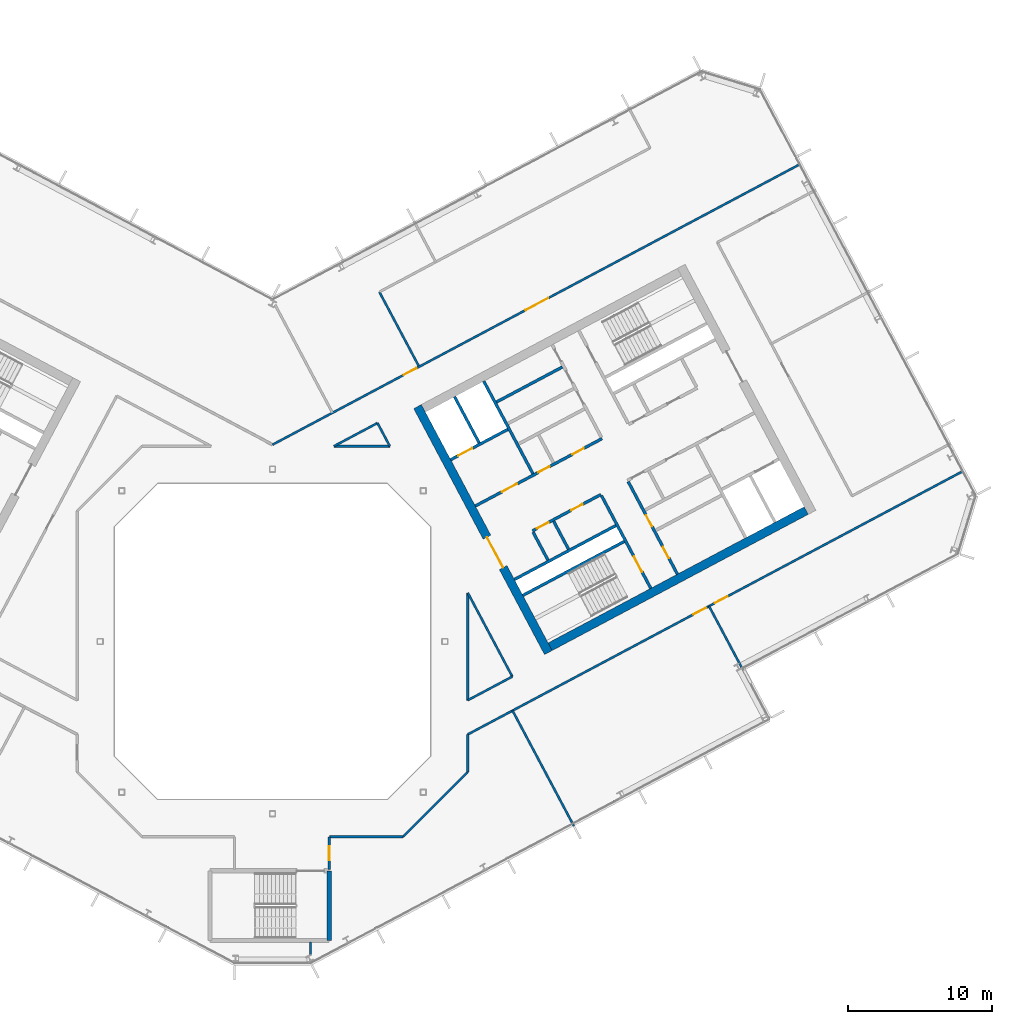
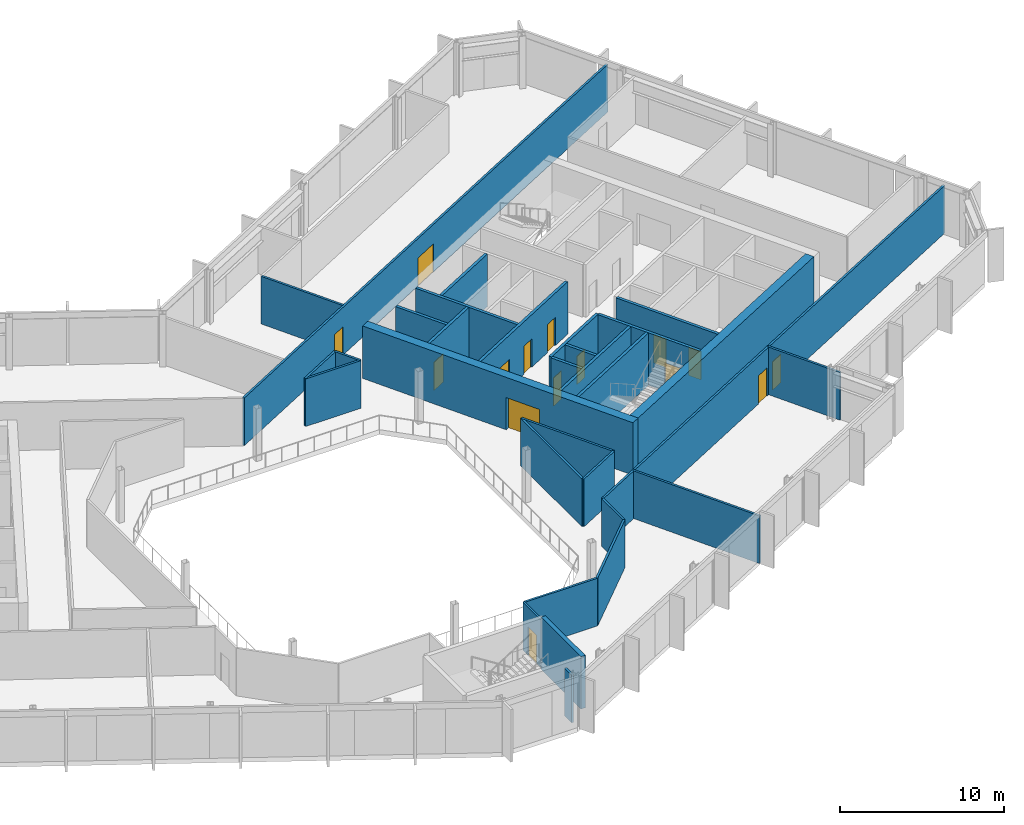
# One storey, part 15 of 26: 31 walls, 15 doors, 15 openings.
"""IFC4 building model written with IfcOpenShell, lengths in metres."""

from ifc_helpers import new_model, si_unit, direction, frame, frame_2d, origin, place, context, subcontext, project, spatial, rectangle, extrude, material, layer, layer_set, type_object, element, fill, save


model = new_model("IFC4")

# Units and contexts
model_context = context("Model", 3, precision=1e-05, world=origin(), true_north=direction((0.0, 1.0)))
body_context = subcontext(model_context, "Body", "Model", "MODEL_VIEW")
ifc_project = project(units=[si_unit("LENGTHUNIT", "METRE"), si_unit("AREAUNIT", "SQUARE_METRE"), si_unit("VOLUMEUNIT", "CUBIC_METRE"), si_unit("PLANEANGLEUNIT", "RADIAN"), si_unit("MASSUNIT", "GRAM", prefix="KILO")], contexts=[model_context])

# Site, building, storey
site_placement = place(None, origin())
site = spatial("IfcSite", under=ifc_project, at=site_placement, CompositionType="ELEMENT")
building_placement = place(site_placement, origin())
building = spatial("IfcBuilding", under=site, at=building_placement, Name="Cormorant Relay Tower", CompositionType="ELEMENT")
storey_placement = place(building_placement, frame((0.0, 0.0, 213.0)))
storey = spatial("IfcBuildingStorey", under=building, at=storey_placement, Name="L46", CompositionType="ELEMENT", Elevation=213.0)

# Walls
ifc_material_1 = material(Name="Concrete 40 MPa", Category="concrete")
ifc_layer_1 = layer(ifc_material_1, 0.199951171875)
ifc_layer_set_1 = layer_set([ifc_layer_1], Name="Core internal wall 200")
wall_type_1 = type_object("IfcWallType", Name="Core internal wall 200", PredefinedType="SOLIDWALL", material=ifc_layer_set_1)
wall_1_placement = place(storey_placement, frame((20.614013671875, 6.430419921875, 0.0), z_axis=(0.0, 0.0, 1.0), x_axis=(-0.4694473164, 0.882960484464, 0.0)))
element("IfcWall", 1, at=wall_1_placement, inside=storey, type_object=wall_type_1, Name="L46 core B shaft and room wall", PredefinedType="SOLIDWALL", context=body_context, shape_type="SweptSolid", body=[
    extrude(rectangle(XDim=2.199951171875, YDim=0.199951171875, at=frame_2d((1.10009765625, 0.0))), origin(), (0.0, 0.0, 1.0), 3.89990234375),
])
wall_2_placement = place(storey_placement, frame((15.59765625, 16.67431640625, 0.0), z_axis=(0.0, 0.0, 1.0), x_axis=(0.882934506056, 0.469496174655, 0.0)))
element("IfcWall", 2, at=wall_2_placement, inside=storey, type_object=wall_type_1, Name="L46 core B shaft and room wall", PredefinedType="SOLIDWALL", context=body_context, shape_type="SweptSolid", body=[
    extrude(rectangle(XDim=5.199951171875, YDim=0.199951171875, at=frame_2d((2.60009765625, 0.0))), origin(), (0.0, 0.0, 1.0), 3.89990234375),
])
ifc_material_2 = material(Name="Concrete 50 MPa", Category="concrete")
ifc_layer_2 = layer(ifc_material_2, 0.199951171875)
ifc_layer_set_2 = layer_set([ifc_layer_2], Name="Core shaft wall 200")
wall_type_2 = type_object("IfcWallType", Name="Core shaft wall 200", PredefinedType="SHEAR", material=ifc_layer_set_2)
wall_3_placement = place(storey_placement, frame((14.39404296875, 13.825927734375, 0.0), z_axis=(0.0, 0.0, 1.0), x_axis=(-0.469494272526, 0.882935517501, 0.0)))
element("IfcWall", 3, at=wall_3_placement, inside=storey, type_object=wall_type_2, Name="L46 core B shaft wall", PredefinedType="SHEAR", context=body_context, shape_type="SweptSolid", body=[
    extrude(rectangle(XDim=3.64990234375, YDim=0.199951171875, at=frame_2d((1.824951171875, 0.0))), origin(), (0.0, 0.0, 1.0), 3.89990234375),
])
wall_4_placement = place(storey_placement, frame((19.18359375, 5.669921875, 0.0), z_axis=(0.0, 0.0, 1.0), x_axis=(-0.4694473164, 0.882960484464, 0.0)))
element("IfcWall", 4, at=wall_4_placement, inside=storey, type_object=wall_type_2, Name="L46 core B shaft wall", PredefinedType="SHEAR", context=body_context, shape_type="SweptSolid", body=[
    extrude(rectangle(XDim=2.199951171875, YDim=0.199951171875, at=frame_2d((1.10009765625, 0.0))), origin(), (0.0, 0.0, 1.0), 3.89990234375),
])
wall_5_placement = place(storey_placement, frame((18.138427734375, 11.682861328125, 0.0), z_axis=(0.0, 0.0, 1.0), x_axis=(-0.469480409012, 0.88294288918, 0.0)))
element("IfcWall", 5, at=wall_5_placement, inside=storey, type_object=wall_type_2, Name="L46 core B shaft wall", PredefinedType="SHEAR", context=body_context, shape_type="SweptSolid", body=[
    extrude(rectangle(XDim=7.300048828125, YDim=0.199951171875, at=frame_2d((3.64990234375, 0.0))), origin(), (0.0, 0.0, 1.0), 3.89990234375),
])

# Wall, opening, door
wall_6_placement = place(storey_placement, frame((26.345947265625, 3.701904296875, 0.0), z_axis=(0.0, 0.0, 1.0), x_axis=(-0.469480409012, 0.88294288918, 0.0)))
wall_6 = element("IfcWall", 6, at=wall_6_placement, inside=storey, type_object=wall_type_2, Name="L46 core B shaft wall", PredefinedType="SHEAR", context=body_context, shape_type="SweptSolid", body=[
    extrude(rectangle(XDim=7.300048828125, YDim=0.199951171875, at=frame_2d((3.64990234375, 0.0))), origin(), (0.0, 0.0, 1.0), 3.89990234375),
])
opening_1_placement = place(wall_6_placement, frame((1.300048828125, 0.0, 0.0)))
opening_1 = element("IfcOpeningElement", 7, at=opening_1_placement, cuts=wall_6, Name="Opening CDB-040", PredefinedType="OPENING", context=body_context, shape_type="SweptSolid", body=[
    extrude(rectangle(XDim=1.199951171875, YDim=2.10009765625, at=frame_2d((0.60009765625, 1.050048828125))), frame((0.0, 0.10986328125, 0.0), z_axis=(0.0, -1.0, 0.0), x_axis=(1.0, 0.0, 0.0)), (0.0, 0.0, 1.0), 0.219970703125),
])
ifc_material_3 = material(Name="Steel fire door", Category="steel")
door_type_1 = type_object("IfcDoorType", Name="Core stair door 1200x2100", OperationType="SINGLE_SWING_LEFT", PredefinedType="DOOR", material=ifc_material_3)
door_1_placement = place(opening_1_placement, origin())
door_1 = element("IfcDoor", 8, at=door_1_placement, inside=storey, type_object=door_type_1, Name="Core stair door 1200x2100", OperationType="SINGLE_SWING_RIGHT", OverallHeight=2.10009765625, OverallWidth=1.199951171875, PredefinedType="DOOR", context=body_context, shape_type="SweptSolid", body=[
    extrude(rectangle(XDim=1.199951171875, YDim=2.10009765625, at=frame_2d((0.60009765625, 1.050048828125))), frame((0.0, 0.02490234375, 0.0), z_axis=(0.0, -1.0, 0.0), x_axis=(1.0, 0.0, 0.0)), (0.0, 0.0, 1.0), 0.050048828125),
])
fill(opening_1, door_1)

# Wall, openings, doors
wall_7_placement = place(storey_placement, frame((28.199951171875, 4.687744140625, 0.0), z_axis=(0.0, 0.0, 1.0), x_axis=(-0.469454336211, 0.882956752176, 0.0)))
wall_7 = element("IfcWall", 9, at=wall_7_placement, inside=storey, type_object=wall_type_2, Name="L46 core B shaft wall", PredefinedType="SHEAR", context=body_context, shape_type="SweptSolid", body=[
    extrude(rectangle(XDim=7.300048828125, YDim=0.199951171875, at=frame_2d((3.64990234375, 0.0))), origin(), (0.0, 0.0, 1.0), 3.89990234375),
])
opening_2_placement = place(wall_7_placement, frame((1.25, 0.0, 0.0)))
opening_2 = element("IfcOpeningElement", 10, at=opening_2_placement, cuts=wall_7, Name="Opening CDD-277", PredefinedType="OPENING", context=body_context, shape_type="SweptSolid", body=[
    extrude(rectangle(XDim=0.89990234375, YDim=2.10009765625, at=frame_2d((0.449951171875, 1.050048828125))), frame((0.0, 0.10986328125, 0.0), z_axis=(0.0, -1.0, 0.0), x_axis=(1.0, 0.0, 0.0)), (0.0, 0.0, 1.0), 0.219970703125),
])
opening_3_placement = place(wall_7_placement, frame((3.75, 0.0, 0.0)))
opening_3 = element("IfcOpeningElement", 11, at=opening_3_placement, cuts=wall_7, Name="Opening CDD-253", PredefinedType="OPENING", context=body_context, shape_type="SweptSolid", body=[
    extrude(rectangle(XDim=0.89990234375, YDim=2.10009765625, at=frame_2d((0.449951171875, 1.050048828125))), frame((0.0, 0.10986328125, 0.0), z_axis=(0.0, -1.0, 0.0), x_axis=(1.0, 0.0, 0.0)), (0.0, 0.0, 1.0), 0.219970703125),
])
ifc_material_4 = material(Name="Steel fire door", Category="steel")
door_type_2 = type_object("IfcDoorType", Name="Core room door 900x2100", OperationType="SINGLE_SWING_LEFT", PredefinedType="DOOR", material=ifc_material_4)
door_2_placement = place(opening_2_placement, frame((0.89990234375, 0.0, 0.0), z_axis=(0.0, 0.0, 1.0), x_axis=(-1.0, 0.0, 0.0)))
door_2 = element("IfcDoor", 12, at=door_2_placement, inside=storey, type_object=door_type_2, Name="Core room door 900x2100", OperationType="SINGLE_SWING_LEFT", OverallHeight=2.10009765625, OverallWidth=0.89990234375, PredefinedType="DOOR", context=body_context, shape_type="SweptSolid", body=[
    extrude(rectangle(XDim=0.89990234375, YDim=2.10009765625, at=frame_2d((0.449951171875, 1.050048828125))), frame((0.0, 0.02490234375, 0.0), z_axis=(0.0, -1.0, 0.0), x_axis=(1.0, 0.0, 0.0)), (0.0, 0.0, 1.0), 0.050048828125),
])
fill(opening_2, door_2)
door_3_placement = place(opening_3_placement, frame((0.89990234375, 0.0, 0.0), z_axis=(0.0, 0.0, 1.0), x_axis=(-1.0, 0.0, 0.0)))
door_3 = element("IfcDoor", 13, at=door_3_placement, inside=storey, type_object=door_type_2, Name="Core room door 900x2100", OperationType="SINGLE_SWING_LEFT", OverallHeight=2.10009765625, OverallWidth=0.89990234375, PredefinedType="DOOR", context=body_context, shape_type="SweptSolid", body=[
    extrude(rectangle(XDim=0.89990234375, YDim=2.10009765625, at=frame_2d((0.449951171875, 1.050048828125))), frame((0.0, 0.02490234375, 0.0), z_axis=(0.0, -1.0, 0.0), x_axis=(1.0, 0.0, 0.0)), (0.0, 0.0, 1.0), 0.050048828125),
])
fill(opening_3, door_3)

# Walls
for number, where, z_axis, x_axis, name in (
    (14, (17.43359375, 3.210205078125, 0.0), (0.0, 0.0, 1.0), (0.882940221191, 0.469485426614, 0.0), "L46 core B shaft wall"),
    (15, (16.8466796875, 4.31396484375, 0.0), (0.0, 0.0, 1.0), (0.882940221191, 0.469485426614, 0.0), "L46 core B shaft wall"),
):
    element("IfcWall", number, at=place(storey_placement, frame(where, z_axis=z_axis, x_axis=x_axis)), inside=storey, type_object=wall_type_2, Name=name, PredefinedType="SHEAR", context=body_context, shape_type="SweptSolid", body=[
        extrude(rectangle(XDim=8.0, YDim=0.199951171875, at=frame_2d((4.0, 0.0))), origin(), (0.0, 0.0, 1.0), 3.89990234375),
    ])

# Wall, openings, doors
wall_8_placement = place(storey_placement, frame((18.103759765625, 7.70068359375, 0.0), z_axis=(0.0, 0.0, 1.0), x_axis=(0.882952937579, 0.469461510692, 0.0)))
wall_8 = element("IfcWall", 16, at=wall_8_placement, inside=storey, type_object=wall_type_2, Name="L46 core B shaft wall", PredefinedType="SHEAR", context=body_context, shape_type="SweptSolid", body=[
    extrude(rectangle(XDim=5.400146484375, YDim=0.199951171875, at=frame_2d((2.7001953125, 0.0))), origin(), (0.0, 0.0, 1.0), 3.89990234375),
])
opening_4_placement = place(wall_8_placement, frame((0.360107421875, 0.0, 0.0)))
opening_4 = element("IfcOpeningElement", 17, at=opening_4_placement, cuts=wall_8, Name="Opening CDD-245", PredefinedType="OPENING", context=body_context, shape_type="SweptSolid", body=[
    extrude(rectangle(XDim=0.89990234375, YDim=2.10009765625, at=frame_2d((0.449951171875, 1.050048828125))), frame((0.0, 0.10986328125, 0.0), z_axis=(0.0, -1.0, 0.0), x_axis=(1.0, 0.0, 0.0)), (0.0, 0.0, 1.0), 0.219970703125),
])
opening_5_placement = place(wall_8_placement, frame((3.06005859375, 0.0, 0.0)))
opening_5 = element("IfcOpeningElement", 18, at=opening_5_placement, cuts=wall_8, Name="Opening CDD-246", PredefinedType="OPENING", context=body_context, shape_type="SweptSolid", body=[
    extrude(rectangle(XDim=0.89990234375, YDim=2.10009765625, at=frame_2d((0.449951171875, 1.050048828125))), frame((0.0, 0.10986328125, 0.0), z_axis=(0.0, -1.0, 0.0), x_axis=(1.0, 0.0, 0.0)), (0.0, 0.0, 1.0), 0.219970703125),
])
door_4_placement = place(opening_4_placement, frame((0.89990234375, 0.0, 0.0), z_axis=(0.0, 0.0, 1.0), x_axis=(-1.0, 0.0, 0.0)))
door_4 = element("IfcDoor", 19, at=door_4_placement, inside=storey, type_object=door_type_2, Name="Core room door 900x2100", OperationType="SINGLE_SWING_RIGHT", OverallHeight=2.10009765625, OverallWidth=0.89990234375, PredefinedType="DOOR", context=body_context, shape_type="SweptSolid", body=[
    extrude(rectangle(XDim=0.89990234375, YDim=2.10009765625, at=frame_2d((0.449951171875, 1.050048828125))), frame((0.0, 0.02490234375, 0.0), z_axis=(0.0, -1.0, 0.0), x_axis=(1.0, 0.0, 0.0)), (0.0, 0.0, 1.0), 0.050048828125),
])
fill(opening_4, door_4)
door_5_placement = place(opening_5_placement, frame((0.89990234375, 0.0, 0.0), z_axis=(0.0, 0.0, 1.0), x_axis=(-1.0, 0.0, 0.0)))
door_5 = element("IfcDoor", 20, at=door_5_placement, inside=storey, type_object=door_type_2, Name="Core room door 900x2100", OperationType="SINGLE_SWING_RIGHT", OverallHeight=2.10009765625, OverallWidth=0.89990234375, PredefinedType="DOOR", context=body_context, shape_type="SweptSolid", body=[
    extrude(rectangle(XDim=0.89990234375, YDim=2.10009765625, at=frame_2d((0.449951171875, 1.050048828125))), frame((0.0, 0.02490234375, 0.0), z_axis=(0.0, -1.0, 0.0), x_axis=(1.0, 0.0, 0.0)), (0.0, 0.0, 1.0), 0.050048828125),
])
fill(opening_5, door_5)

wall_9_placement = place(storey_placement, frame((14.123779296875, 9.43505859375, 0.0), z_axis=(0.0, 0.0, 1.0), x_axis=(0.882940221191, 0.469485426614, 0.0)))
wall_9 = element("IfcWall", 21, at=wall_9_placement, inside=storey, type_object=wall_type_2, Name="L46 core B shaft wall", PredefinedType="SHEAR", context=body_context, shape_type="SweptSolid", body=[
    extrude(rectangle(XDim=10.0, YDim=0.199951171875, at=frame_2d((5.0, 0.0))), origin(), (0.0, 0.0, 1.0), 3.89990234375),
])
opening_6_placement = place(wall_9_placement, frame((2.10009765625, 0.0, 0.0)))
opening_6 = element("IfcOpeningElement", 22, at=opening_6_placement, cuts=wall_9, Name="Opening CDC-035", PredefinedType="OPENING", context=body_context, shape_type="SweptSolid", body=[
    extrude(rectangle(XDim=1.199951171875, YDim=2.10009765625, at=frame_2d((0.60009765625, 1.050048828125))), frame((0.0, 0.10986328125, 0.0), z_axis=(0.0, -1.0, 0.0), x_axis=(1.0, 0.0, 0.0)), (0.0, 0.0, 1.0), 0.219970703125),
])
opening_7_placement = place(wall_9_placement, frame((4.9599609375, 0.0, 0.0)))
opening_7 = element("IfcOpeningElement", 23, at=opening_7_placement, cuts=wall_9, Name="Opening CDD-241", PredefinedType="OPENING", context=body_context, shape_type="SweptSolid", body=[
    extrude(rectangle(XDim=0.89990234375, YDim=2.10009765625, at=frame_2d((0.449951171875, 1.050048828125))), frame((0.0, 0.10986328125, 0.0), z_axis=(0.0, -1.0, 0.0), x_axis=(1.0, 0.0, 0.0)), (0.0, 0.0, 1.0), 0.219970703125),
])
opening_8_placement = place(wall_9_placement, frame((7.659912109375, 0.0, 0.0)))
opening_8 = element("IfcOpeningElement", 24, at=opening_8_placement, cuts=wall_9, Name="Opening CDD-272", PredefinedType="OPENING", context=body_context, shape_type="SweptSolid", body=[
    extrude(rectangle(XDim=0.89990234375, YDim=2.10009765625, at=frame_2d((0.449951171875, 1.050048828125))), frame((0.0, 0.10986328125, 0.0), z_axis=(0.0, -1.0, 0.0), x_axis=(1.0, 0.0, 0.0)), (0.0, 0.0, 1.0), 0.219970703125),
])
ifc_material_5 = material(Name="Steel fire door", Category="steel")
door_type_3 = type_object("IfcDoorType", Name="Core lobby door 1200x2100", OperationType="SINGLE_SWING_LEFT", PredefinedType="DOOR", material=ifc_material_5)
door_6_placement = place(opening_6_placement, frame((1.199951171875, 0.0, 0.0), z_axis=(0.0, 0.0, 1.0), x_axis=(-1.0, 0.0, 0.0)))
door_6 = element("IfcDoor", 25, at=door_6_placement, inside=storey, type_object=door_type_3, Name="Core lobby door 1200x2100", OperationType="SINGLE_SWING_RIGHT", OverallHeight=2.10009765625, OverallWidth=1.199951171875, PredefinedType="DOOR", context=body_context, shape_type="SweptSolid", body=[
    extrude(rectangle(XDim=1.199951171875, YDim=2.10009765625, at=frame_2d((0.60009765625, 1.050048828125))), frame((0.0, 0.02490234375, 0.0), z_axis=(0.0, -1.0, 0.0), x_axis=(1.0, 0.0, 0.0)), (0.0, 0.0, 1.0), 0.050048828125),
])
fill(opening_6, door_6)
door_7_placement = place(opening_7_placement, frame((0.89990234375, 0.0, 0.0), z_axis=(0.0, 0.0, 1.0), x_axis=(-1.0, 0.0, 0.0)))
door_7 = element("IfcDoor", 26, at=door_7_placement, inside=storey, type_object=door_type_2, Name="Core room door 900x2100", OperationType="SINGLE_SWING_RIGHT", OverallHeight=2.10009765625, OverallWidth=0.89990234375, PredefinedType="DOOR", context=body_context, shape_type="SweptSolid", body=[
    extrude(rectangle(XDim=0.89990234375, YDim=2.10009765625, at=frame_2d((0.449951171875, 1.050048828125))), frame((0.0, 0.02490234375, 0.0), z_axis=(0.0, -1.0, 0.0), x_axis=(1.0, 0.0, 0.0)), (0.0, 0.0, 1.0), 0.050048828125),
])
fill(opening_7, door_7)
door_8_placement = place(opening_8_placement, origin())
door_8 = element("IfcDoor", 27, at=door_8_placement, inside=storey, type_object=door_type_2, Name="Core room door 900x2100", OperationType="SINGLE_SWING_LEFT", OverallHeight=2.10009765625, OverallWidth=0.89990234375, PredefinedType="DOOR", context=body_context, shape_type="SweptSolid", body=[
    extrude(rectangle(XDim=0.89990234375, YDim=2.10009765625, at=frame_2d((0.449951171875, 1.050048828125))), frame((0.0, 0.02490234375, 0.0), z_axis=(0.0, -1.0, 0.0), x_axis=(1.0, 0.0, 0.0)), (0.0, 0.0, 1.0), 0.050048828125),
])
fill(opening_8, door_8)

# Wall, opening, door
wall_10_placement = place(storey_placement, frame((12.41015625, 12.657958984375, 0.0), z_axis=(0.0, 0.0, 1.0), x_axis=(0.8829484765, 0.469469900894, 0.0)))
wall_10 = element("IfcWall", 28, at=wall_10_placement, inside=storey, type_object=wall_type_2, Name="L46 core B shaft wall", PredefinedType="SHEAR", context=body_context, shape_type="SweptSolid", body=[
    extrude(rectangle(XDim=4.499755859375, YDim=0.199951171875, at=frame_2d((2.25, 0.0))), origin(), (0.0, 0.0, 1.0), 3.89990234375),
])
opening_9_placement = place(wall_10_placement, frame((0.60009765625, 0.0, 0.0)))
opening_9 = element("IfcOpeningElement", 29, at=opening_9_placement, cuts=wall_10, Name="Opening LD1-064", PredefinedType="OPENING", context=body_context, shape_type="SweptSolid", body=[
    extrude(rectangle(XDim=1.10009765625, YDim=2.10009765625, at=frame_2d((0.550048828125, 1.050048828125))), frame((0.0, 0.10986328125, 0.0), z_axis=(0.0, -1.0, 0.0), x_axis=(1.0, 0.0, 0.0)), (0.0, 0.0, 1.0), 0.219970703125),
])
ifc_material_6 = material(Name="Stainless steel 316", Category="steel")
door_type_4 = type_object("IfcDoorType", Name="Lift landing door 1100x2100", OperationType="DOUBLE_DOOR_SLIDING", PredefinedType="DOOR", material=ifc_material_6)
door_9_placement = place(opening_9_placement, origin())
door_9 = element("IfcDoor", 30, at=door_9_placement, inside=storey, type_object=door_type_4, Name="FF2 landing door", OperationType="DOUBLE_DOOR_SLIDING", OverallHeight=2.10009765625, OverallWidth=1.10009765625, PredefinedType="DOOR", context=body_context, shape_type="SweptSolid", body=[
    extrude(rectangle(XDim=1.10009765625, YDim=2.10009765625, at=frame_2d((0.550048828125, 1.050048828125))), frame((0.0, 0.02490234375, 0.0), z_axis=(0.0, -1.0, 0.0), x_axis=(1.0, 0.0, 0.0)), (0.0, 0.0, 1.0), 0.050048828125),
])
fill(opening_9, door_9)

ifc_material_7 = material(Name="Concrete 50 MPa", Category="concrete")
ifc_layer_3 = layer(ifc_material_7, 0.60009765625)
ifc_layer_set_3 = layer_set([ifc_layer_3], Name="Core wall 600")
wall_type_3 = type_object("IfcWallType", Name="Core wall 600", PredefinedType="SHEAR", material=ifc_layer_set_3)
wall_11_placement = place(storey_placement, frame((19.210693359375, -0.771484375, 0.0), z_axis=(0.0, 0.0, 1.0), x_axis=(-0.469463742137, 0.882951751127, 0.0)))
wall_11 = element("IfcWall", 31, at=wall_11_placement, inside=storey, type_object=wall_type_3, Name="L46 core B wall", PredefinedType="SHEAR", context=body_context, shape_type="SweptSolid", body=[
    extrude(rectangle(XDim=19.400146484375, YDim=0.60009765625, at=frame_2d((9.7001953125, 0.0))), origin(), (0.0, 0.0, 1.0), 3.89990234375),
])
opening_10_placement = place(wall_11_placement, frame((6.699951171875, 0.0, 0.0)))
opening_10 = element("IfcOpeningElement", 32, at=opening_10_placement, cuts=wall_11, Name="Opening CDA-042", PredefinedType="OPENING", context=body_context, shape_type="SweptSolid", body=[
    extrude(rectangle(XDim=2.39990234375, YDim=2.39990234375, at=frame_2d((1.199951171875, 1.199951171875))), frame((0.0, 0.31005859375, 0.0), z_axis=(0.0, -1.0, 0.0), x_axis=(1.0, 0.0, 0.0)), (0.0, 0.0, 1.0), 0.6201171875),
])
ifc_material_8 = material(Name="Steel fire door", Category="steel")
door_type_5 = type_object("IfcDoorType", Name="Core lobby door 2400x2400", OperationType="DOUBLE_DOOR_SINGLE_SWING", PredefinedType="DOOR", material=ifc_material_8)
door_10_placement = place(opening_10_placement, frame((2.39990234375, 0.0, 0.0), z_axis=(0.0, 0.0, 1.0), x_axis=(-1.0, 0.0, 0.0)))
door_10 = element("IfcDoor", 33, at=door_10_placement, inside=storey, type_object=door_type_5, Name="Core lobby door 2400x2400", OperationType="DOUBLE_DOOR_SINGLE_SWING", OverallHeight=2.39990234375, OverallWidth=2.39990234375, PredefinedType="DOOR", context=body_context, shape_type="SweptSolid", body=[
    extrude(rectangle(XDim=2.39990234375, YDim=2.39990234375, at=frame_2d((1.199951171875, 1.199951171875))), frame((0.0, 0.02490234375, 0.0), z_axis=(0.0, -1.0, 0.0), x_axis=(1.0, 0.0, 0.0)), (0.0, 0.0, 1.0), 0.050048828125),
])
fill(opening_10, door_10)

# Wall
wall_12_placement = place(storey_placement, frame((19.3349609375, -0.36572265625, 0.0), z_axis=(0.0, 0.0, 1.0), x_axis=(0.88294509198, 0.469476266226, 0.0)))
element("IfcWall", 34, at=wall_12_placement, inside=storey, type_object=wall_type_3, Name="L46 core B wall", PredefinedType="SHEAR", context=body_context, shape_type="SweptSolid", body=[
    extrude(rectangle(XDim=20.199951171875, YDim=0.60009765625, at=frame_2d((10.10009765625, 0.0))), origin(), (0.0, 0.0, 1.0), 3.89990234375),
])

# Wall, openings, doors
ifc_material_9 = material(Name="Gypsum board fire partition")
ifc_layer_4 = layer(ifc_material_9, 0.14990234375)
ifc_layer_set_4 = layer_set([ifc_layer_4], Name="Corridor partition 150 EI 60")
wall_type_4 = type_object("IfcWallType", Name="Corridor partition 150 EI 60", PredefinedType="PARTITIONING", material=ifc_layer_set_4)
wall_13_placement = place(storey_placement, frame((0.0, 13.7041015625, 0.0), z_axis=(0.0, 0.0, 1.0), x_axis=(0.882937043325, 0.469491403036, 0.0)))
wall_13 = element("IfcWall", 35, at=wall_13_placement, inside=storey, type_object=wall_type_4, Name="wall/L46/part/012", PredefinedType="PARTITIONING", context=body_context, shape_type="SweptSolid", body=[
    extrude(rectangle(XDim=41.76611328125, YDim=0.14990234375, at=frame_2d((20.883056640625, 0.0))), origin(), (0.0, 0.0, 1.0), 3.5400390625),
])
opening_11_placement = place(wall_13_placement, frame((19.949951171875, 0.0, 0.0)))
opening_11 = element("IfcOpeningElement", 36, at=opening_11_placement, cuts=wall_13, Name="Opening DD-026", PredefinedType="OPENING", context=body_context, shape_type="SweptSolid", body=[
    extrude(rectangle(XDim=1.800048828125, YDim=2.10009765625, at=frame_2d((0.89990234375, 1.050048828125))), frame((0.0, 0.0849609375, 0.0), z_axis=(0.0, -1.0, 0.0), x_axis=(1.0, 0.0, 0.0)), (0.0, 0.0, 1.0), 0.169921875),
])
opening_12_placement = place(wall_13_placement, frame((10.35009765625, 0.0, 0.0)))
opening_12 = element("IfcOpeningElement", 37, at=opening_12_placement, cuts=wall_13, Name="Opening DS-147", PredefinedType="OPENING", context=body_context, shape_type="SweptSolid", body=[
    extrude(rectangle(XDim=1.0, YDim=2.10009765625, at=frame_2d((0.5, 1.050048828125))), frame((0.0, 0.0849609375, 0.0), z_axis=(0.0, -1.0, 0.0), x_axis=(1.0, 0.0, 0.0)), (0.0, 0.0, 1.0), 0.169921875),
])
ifc_material_10 = material(Name="Timber door leaf", Category="wood")
door_type_6 = type_object("IfcDoorType", Name="Suite door 1000x2100", OperationType="SINGLE_SWING_LEFT", PredefinedType="DOOR", material=ifc_material_10)
door_11_placement = place(opening_12_placement, origin())
door_11 = element("IfcDoor", 38, at=door_11_placement, inside=storey, type_object=door_type_6, Name="door/L46/012", OperationType="SINGLE_SWING_RIGHT", OverallHeight=2.10009765625, OverallWidth=1.0, PredefinedType="DOOR", context=body_context, shape_type="SweptSolid", body=[
    extrude(rectangle(XDim=1.0, YDim=2.10009765625, at=frame_2d((0.5, 1.050048828125))), frame((0.0, 0.02490234375, 0.0), z_axis=(0.0, -1.0, 0.0), x_axis=(1.0, 0.0, 0.0)), (0.0, 0.0, 1.0), 0.050048828125),
])
fill(opening_12, door_11)
ifc_material_11 = material(Name="Timber door leaf", Category="wood")
door_type_7 = type_object("IfcDoorType", Name="Suite double door 1800x2100", OperationType="DOUBLE_DOOR_SINGLE_SWING", PredefinedType="DOOR", material=ifc_material_11)
door_12_placement = place(opening_11_placement, origin())
door_12 = element("IfcDoor", 39, at=door_12_placement, inside=storey, type_object=door_type_7, Name="door/L46/011", OperationType="DOUBLE_DOOR_SINGLE_SWING", OverallHeight=2.10009765625, OverallWidth=1.800048828125, PredefinedType="DOOR", context=body_context, shape_type="SweptSolid", body=[
    extrude(rectangle(XDim=1.800048828125, YDim=2.10009765625, at=frame_2d((0.89990234375, 1.050048828125))), frame((0.0, 0.02490234375, 0.0), z_axis=(0.0, -1.0, 0.0), x_axis=(1.0, 0.0, 0.0)), (0.0, 0.0, 1.0), 0.050048828125),
])
fill(opening_11, door_12)

# Wall, opening, door
wall_14_placement = place(storey_placement, frame((3.949951171875, -13.60009765625, 0.0), z_axis=(0.0, 0.0, 1.0), x_axis=(0.0, -1.0, 0.0)))
wall_14 = element("IfcWall", 40, at=wall_14_placement, inside=storey, type_object=wall_type_4, Name="wall/L46/part/027", PredefinedType="PARTITIONING", context=body_context, shape_type="SweptSolid", body=[
    extrude(rectangle(XDim=2.27490234375, YDim=0.14990234375, at=frame_2d((1.137451171875, 0.0))), origin(), (0.0, 0.0, 1.0), 3.5400390625),
])
opening_13_placement = place(wall_14_placement, frame((0.64990234375, 0.0, 0.0)))
opening_13 = element("IfcOpeningElement", 41, at=opening_13_placement, cuts=wall_14, Name="Opening DS-138", PredefinedType="OPENING", context=body_context, shape_type="SweptSolid", body=[
    extrude(rectangle(XDim=1.0, YDim=2.10009765625, at=frame_2d((0.5, 1.050048828125))), frame((0.0, 0.0849609375, 0.0), z_axis=(0.0, -1.0, 0.0), x_axis=(1.0, 0.0, 0.0)), (0.0, 0.0, 1.0), 0.169921875),
])
door_13_placement = place(opening_13_placement, origin())
door_13 = element("IfcDoor", 42, at=door_13_placement, inside=storey, type_object=door_type_6, Name="door/L46/001", OperationType="SINGLE_SWING_LEFT", OverallHeight=2.10009765625, OverallWidth=1.0, PredefinedType="DOOR", context=body_context, shape_type="SweptSolid", body=[
    extrude(rectangle(XDim=1.0, YDim=2.10009765625, at=frame_2d((0.5, 1.050048828125))), frame((0.0, 0.02490234375, 0.0), z_axis=(0.0, -1.0, 0.0), x_axis=(1.0, 0.0, 0.0)), (0.0, 0.0, 1.0), 0.050048828125),
])
fill(opening_13, door_13)

# Walls
wall_15_placement = place(storey_placement, frame((13.60009765625, -6.490966796875, 0.0), z_axis=(0.0, 0.0, 1.0), x_axis=(0.0, -1.0, 0.0)))
element("IfcWall", 43, at=wall_15_placement, inside=storey, type_object=wall_type_4, Name="wall/L46/part/028", PredefinedType="PARTITIONING", context=body_context, shape_type="SweptSolid", body=[
    extrude(rectangle(XDim=2.5859375, YDim=0.14990234375, at=frame_2d((1.29296875, 0.0))), origin(), (0.0, 0.0, 1.0), 3.5400390625),
])
wall_16_placement = place(storey_placement, frame((13.60009765625, -9.076904296875, 0.0), z_axis=(0.0, 0.0, 1.0), x_axis=(-0.707106781187, -0.707106781187, 0.0)))
element("IfcWall", 44, at=wall_16_placement, inside=storey, type_object=wall_type_4, Name="wall/L46/part/029", PredefinedType="PARTITIONING", context=body_context, shape_type="SweptSolid", body=[
    extrude(rectangle(XDim=6.396728515625, YDim=0.14990234375, at=frame_2d((3.1982421875, 0.0))), origin(), (0.0, 0.0, 1.0), 3.5400390625),
])
wall_17_placement = place(storey_placement, frame((9.076904296875, -13.60009765625, 0.0), z_axis=(0.0, 0.0, 1.0), x_axis=(-1.0, 0.0, 0.0)))
element("IfcWall", 45, at=wall_17_placement, inside=storey, type_object=wall_type_4, Name="wall/L46/part/030", PredefinedType="PARTITIONING", context=body_context, shape_type="SweptSolid", body=[
    extrude(rectangle(XDim=5.091796875, YDim=0.14990234375, at=frame_2d((2.5458984375, 0.0))), origin(), (0.0, 0.0, 1.0), 3.5400390625),
])

# Wall, openings, doors
wall_18_placement = place(storey_placement, frame((48.239013671875, 11.944091796875, 0.0), z_axis=(0.0, 0.0, 1.0), x_axis=(-0.882956533409, -0.469454747671, 0.0)))
wall_18 = element("IfcWall", 46, at=wall_18_placement, inside=storey, type_object=wall_type_4, Name="wall/L46/part/037", PredefinedType="PARTITIONING", context=body_context, shape_type="SweptSolid", body=[
    extrude(rectangle(XDim=39.230712890625, YDim=0.14990234375, at=frame_2d((19.615234375, 0.0))), origin(), (0.0, 0.0, 1.0), 3.5400390625),
])
opening_14_placement = place(wall_18_placement, frame((20.449951171875, 0.0, 0.0)))
opening_14 = element("IfcOpeningElement", 47, at=opening_14_placement, cuts=wall_18, Name="Opening DS-139", PredefinedType="OPENING", context=body_context, shape_type="SweptSolid", body=[
    extrude(rectangle(XDim=1.0, YDim=2.10009765625, at=frame_2d((0.5, 1.050048828125))), frame((0.0, 0.0849609375, 0.0), z_axis=(0.0, -1.0, 0.0), x_axis=(1.0, 0.0, 0.0)), (0.0, 0.0, 1.0), 0.169921875),
])
opening_15_placement = place(wall_18_placement, frame((18.75, 0.0, 0.0)))
opening_15 = element("IfcOpeningElement", 48, at=opening_15_placement, cuts=wall_18, Name="Opening DS-140", PredefinedType="OPENING", context=body_context, shape_type="SweptSolid", body=[
    extrude(rectangle(XDim=1.0, YDim=2.10009765625, at=frame_2d((0.5, 1.050048828125))), frame((0.0, 0.0849609375, 0.0), z_axis=(0.0, -1.0, 0.0), x_axis=(1.0, 0.0, 0.0)), (0.0, 0.0, 1.0), 0.169921875),
])
door_14_placement = place(opening_14_placement, origin())
door_14 = element("IfcDoor", 49, at=door_14_placement, inside=storey, type_object=door_type_6, Name="door/L46/002", OperationType="SINGLE_SWING_LEFT", OverallHeight=2.10009765625, OverallWidth=1.0, PredefinedType="DOOR", context=body_context, shape_type="SweptSolid", body=[
    extrude(rectangle(XDim=1.0, YDim=2.10009765625, at=frame_2d((0.5, 1.050048828125))), frame((0.0, 0.02490234375, 0.0), z_axis=(0.0, -1.0, 0.0), x_axis=(1.0, 0.0, 0.0)), (0.0, 0.0, 1.0), 0.050048828125),
])
fill(opening_14, door_14)
door_15_placement = place(opening_15_placement, origin())
door_15 = element("IfcDoor", 50, at=door_15_placement, inside=storey, type_object=door_type_6, Name="door/L46/003", OperationType="SINGLE_SWING_RIGHT", OverallHeight=2.10009765625, OverallWidth=1.0, PredefinedType="DOOR", context=body_context, shape_type="SweptSolid", body=[
    extrude(rectangle(XDim=1.0, YDim=2.10009765625, at=frame_2d((0.5, 1.050048828125))), frame((0.0, 0.02490234375, 0.0), z_axis=(0.0, -1.0, 0.0), x_axis=(1.0, 0.0, 0.0)), (0.0, 0.0, 1.0), 0.050048828125),
])
fill(opening_15, door_15)

# Walls
wall_19_placement = place(storey_placement, frame((8.172119140625, 13.60009765625, 0.0), z_axis=(0.0, 0.0, 1.0), x_axis=(-0.46987425421, 0.882733360212, 0.0)))
element("IfcWall", 51, at=wall_19_placement, inside=storey, type_object=wall_type_4, Name="wall/L46/part/049", PredefinedType="PARTITIONING", context=body_context, shape_type="SweptSolid", body=[
    extrude(rectangle(XDim=1.828369140625, YDim=0.14990234375, at=frame_2d((0.9140625, 0.0))), origin(), (0.0, 0.0, 1.0), 3.5400390625),
])
wall_20_placement = place(storey_placement, frame((7.31298828125, 15.214111328125, 0.0), z_axis=(0.0, 0.0, 1.0), x_axis=(-0.882971338339, -0.469426901308, 0.0)))
element("IfcWall", 52, at=wall_20_placement, inside=storey, type_object=wall_type_4, Name="wall/L46/part/050", PredefinedType="PARTITIONING", context=body_context, shape_type="SweptSolid", body=[
    extrude(rectangle(XDim=3.438232421875, YDim=0.14990234375, at=frame_2d((1.71923828125, 0.0))), origin(), (0.0, 0.0, 1.0), 3.5400390625),
])
wall_21_placement = place(storey_placement, frame((4.277099609375, 13.60009765625, 0.0), z_axis=(0.0, 0.0, 1.0), x_axis=(1.0, 0.0, 0.0)))
element("IfcWall", 53, at=wall_21_placement, inside=storey, type_object=wall_type_4, Name="wall/L46/part/051", PredefinedType="PARTITIONING", context=body_context, shape_type="SweptSolid", body=[
    extrude(rectangle(XDim=3.89501953125, YDim=0.14990234375, at=frame_2d((1.947509765625, 0.0))), origin(), (0.0, 0.0, 1.0), 3.5400390625),
])
wall_22_placement = place(storey_placement, frame((13.60009765625, 3.39111328125, 0.0), z_axis=(0.0, 0.0, 1.0), x_axis=(0.0, -1.0, 0.0)))
element("IfcWall", 54, at=wall_22_placement, inside=storey, type_object=wall_type_4, Name="wall/L46/part/052", PredefinedType="PARTITIONING", context=body_context, shape_type="SweptSolid", body=[
    extrude(rectangle(XDim=7.485107421875, YDim=0.14990234375, at=frame_2d((3.74267578125, 0.0))), origin(), (0.0, 0.0, 1.0), 3.5400390625),
])
wall_23_placement = place(storey_placement, frame((13.60009765625, -4.093994140625, 0.0), z_axis=(0.0, 0.0, 1.0), x_axis=(0.883048239113, 0.469282225743, 0.0)))
element("IfcWall", 55, at=wall_23_placement, inside=storey, type_object=wall_type_4, Name="wall/L46/part/053", PredefinedType="PARTITIONING", context=body_context, shape_type="SweptSolid", body=[
    extrude(rectangle(XDim=3.513671875, YDim=0.14990234375, at=frame_2d((1.7568359375, 0.0))), origin(), (0.0, 0.0, 1.0), 3.5400390625),
])
wall_24_placement = place(storey_placement, frame((16.702880859375, -2.445068359375, 0.0), z_axis=(0.0, 0.0, 1.0), x_axis=(-0.469427966585, 0.88297077199, 0.0)))
element("IfcWall", 56, at=wall_24_placement, inside=storey, type_object=wall_type_4, Name="wall/L46/part/054", PredefinedType="PARTITIONING", context=body_context, shape_type="SweptSolid", body=[
    extrude(rectangle(XDim=6.609619140625, YDim=0.14990234375, at=frame_2d((3.3046875, 0.0))), origin(), (0.0, 0.0, 1.0), 3.5400390625),
])
ifc_material_12 = material(Name="Concrete 50 MPa", Category="concrete")
ifc_layer_5 = layer(ifc_material_12, 0.300048828125)
ifc_layer_set_5 = layer_set([ifc_layer_5], Name="Remote stair wall 300")
wall_type_5 = type_object("IfcWallType", Name="Remote stair wall 300", PredefinedType="SHEAR", material=ifc_layer_set_5)
wall_25_placement = place(storey_placement, frame((3.949951171875, -15.97509765625, 0.0), z_axis=(0.0, 0.0, 1.0), x_axis=(0.0, -1.0, 0.0)))
element("IfcWall", 57, at=wall_25_placement, inside=storey, type_object=wall_type_5, Name="L46 exit stair RK1 wall", PredefinedType="SHEAR", context=body_context, shape_type="SweptSolid", body=[
    extrude(rectangle(XDim=4.849853515625, YDim=0.300048828125, at=frame_2d((2.4248046875, 0.0))), origin(), (0.0, 0.0, 1.0), 3.89990234375),
])
ifc_material_13 = material(Name="Gypsum board partition")
ifc_layer_6 = layer(ifc_material_13, 0.14990234375)
ifc_layer_set_6 = layer_set([ifc_layer_6], Name="Tenant partition 150")
wall_type_6 = type_object("IfcWallType", Name="Tenant partition 150", PredefinedType="PARTITIONING", material=ifc_layer_set_6)
wall_26_placement = place(storey_placement, frame((2.64892578125, -21.799072265625, 0.0), z_axis=(0.0, 0.0, 1.0), x_axis=(0.0, 1.0, 0.0)))
element("IfcWall", 58, at=wall_26_placement, inside=storey, type_object=wall_type_6, Name="wall/L46/part/026", PredefinedType="PARTITIONING", context=body_context, shape_type="SweptSolid", body=[
    extrude(rectangle(XDim=0.8740234375, YDim=0.14990234375, at=frame_2d((0.43701171875, 0.0))), origin(), (0.0, 0.0, 1.0), 3.5400390625),
])
wall_27_placement = place(storey_placement, frame((7.443115234375, 24.343017578125, 0.0), z_axis=(0.0, 0.0, 1.0), x_axis=(0.469531157267, -0.882915903332, 0.0)))
element("IfcWall", 59, at=wall_27_placement, inside=storey, type_object=wall_type_6, Name="wall/L46/part/033", PredefinedType="PARTITIONING", context=body_context, shape_type="SweptSolid", body=[
    extrude(rectangle(XDim=5.83984375, YDim=0.14990234375, at=frame_2d((2.919921875, 0.0))), origin(), (0.0, 0.0, 1.0), 3.5400390625),
])
wall_28_placement = place(storey_placement, frame((16.718017578125, -4.81494140625, 0.0), z_axis=(0.0, 0.0, 1.0), x_axis=(0.46943766298, -0.882965616871, 0.0)))
element("IfcWall", 60, at=wall_28_placement, inside=storey, type_object=wall_type_6, Name="wall/L46/part/036", PredefinedType="PARTITIONING", context=body_context, shape_type="SweptSolid", body=[
    extrude(rectangle(XDim=9.10009765625, YDim=0.14990234375, at=frame_2d((4.550048828125, 0.0))), origin(), (0.0, 0.0, 1.0), 3.5400390625),
])
wall_29_placement = place(storey_placement, frame((30.403076171875, 2.4619140625, 0.0), z_axis=(0.0, 0.0, 1.0), x_axis=(0.469519202187, -0.882922260891, 0.0)))
element("IfcWall", 61, at=wall_29_placement, inside=storey, type_object=wall_type_6, Name="wall/L46/part/038", PredefinedType="PARTITIONING", context=body_context, shape_type="SweptSolid", body=[
    extrude(rectangle(XDim=5.181640625, YDim=0.14990234375, at=frame_2d((2.5908203125, 0.0))), origin(), (0.0, 0.0, 1.0), 3.5400390625),
])

save(model, "model.ifc")
